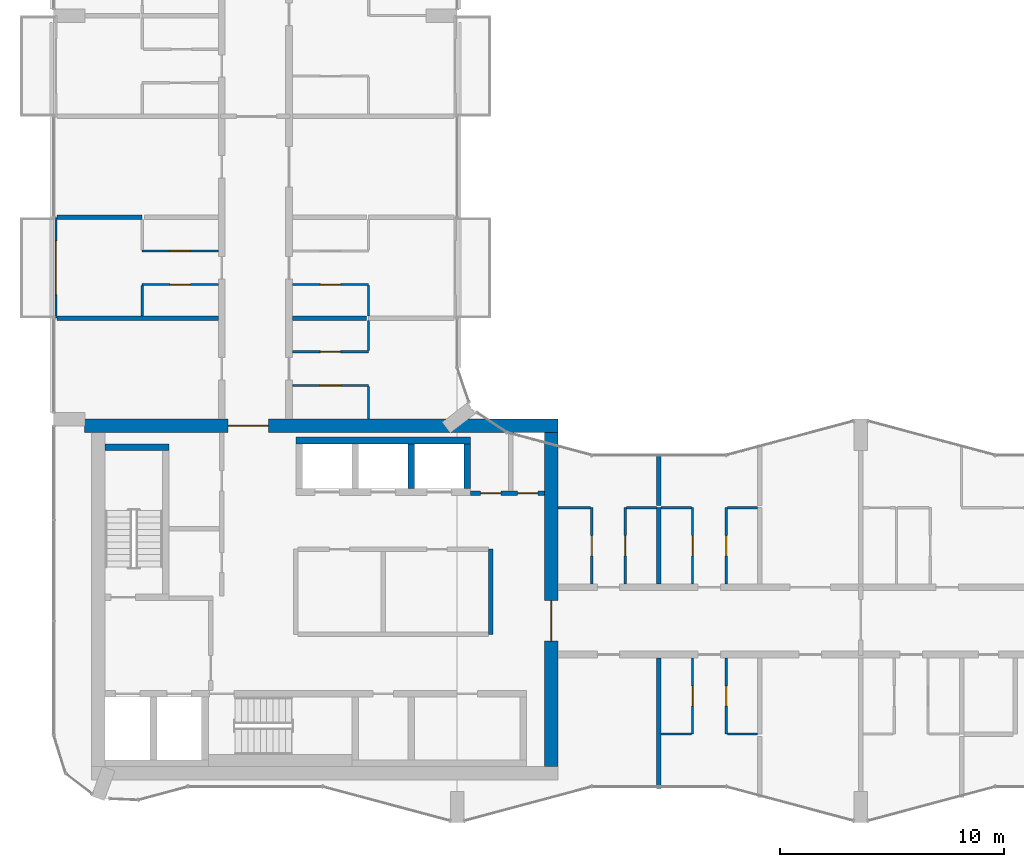
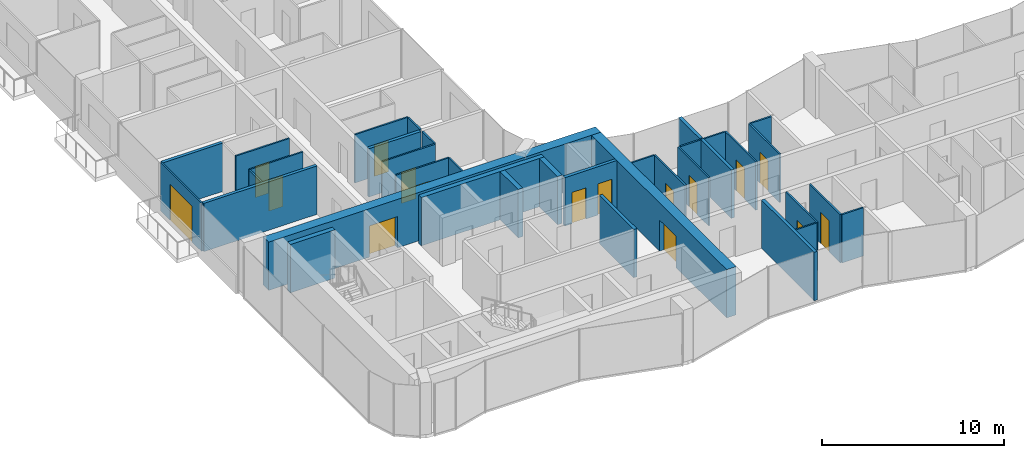
# One storey, part 10 of 16: 36 walls, 16 doors, 16 openings.
"""IFC4 building model written with IfcOpenShell, lengths in metres."""

from ifc_helpers import new_model, si_unit, direction, frame, frame_2d, origin, place, context, subcontext, project, spatial, rectangle, extrude, material, layer, layer_set, type_object, element, fill, save


model = new_model("IFC4")

# Units and contexts
model_context = context("Model", 3, precision=1e-05, world=origin(), true_north=direction((0.0, 1.0)))
body_context = subcontext(model_context, "Body", "Model", "MODEL_VIEW")
ifc_project = project(units=[si_unit("LENGTHUNIT", "METRE"), si_unit("AREAUNIT", "SQUARE_METRE"), si_unit("VOLUMEUNIT", "CUBIC_METRE"), si_unit("PLANEANGLEUNIT", "RADIAN"), si_unit("MASSUNIT", "GRAM", prefix="KILO")], contexts=[model_context])

# Site, building, storey
site_placement = place(None, origin())
site = spatial("IfcSite", under=ifc_project, at=site_placement, CompositionType="ELEMENT")
building_placement = place(site_placement, origin())
building = spatial("IfcBuilding", under=site, at=building_placement, Name="Plateau Cross Towers", CompositionType="ELEMENT")
storey_placement = place(building_placement, frame((0.0, 0.0, 167.39990234375)))
storey = spatial("IfcBuildingStorey", under=building, at=storey_placement, Name="L43", CompositionType="ELEMENT", Elevation=167.39990234375)

# Wall, opening, door
ifc_material_1 = material(Name="Aluminium framed glazing", Category="aluminium")
ifc_layer_1 = layer(ifc_material_1, 0.10009765625)
ifc_layer_set_1 = layer_set([ifc_layer_1], Name="Aluminium framed glazing")
wall_type_1 = type_object("IfcWallType", Name="Balcony screen wall 100", PredefinedType="STANDARD", material=ifc_layer_set_1)
wall_1_placement = place(storey_placement, frame((0.10009765625, 22.5, 0.0), z_axis=(0.0, 0.0, 1.0), x_axis=(0.0, 1.0, 0.0)))
wall_1 = element("IfcWall", 1, at=wall_1_placement, inside=storey, type_object=wall_type_1, Name="Balcony screen wall A-BAL-L43-01", PredefinedType="STANDARD", context=body_context, shape_type="SweptSolid", body=[
    extrude(rectangle(XDim=4.5, YDim=0.10009765625, at=frame_2d((2.25, 0.0))), origin(), (0.0, 0.0, 1.0), 3.25),
])
opening_1_placement = place(wall_1_placement, frame((1.050048828125, 0.0, 0.0)))
opening_1 = element("IfcOpeningElement", 2, at=opening_1_placement, cuts=wall_1, Name="Opening D-B24", PredefinedType="OPENING", context=body_context, shape_type="SweptSolid", body=[
    extrude(rectangle(XDim=2.39990234375, YDim=2.39990234375, at=frame_2d((1.199951171875, 1.199951171875))), frame((0.0, 0.06005859375, 0.0), z_axis=(0.0, -1.0, 0.0), x_axis=(1.0, 0.0, 0.0)), (0.0, 0.0, 1.0), 0.1201171875),
])
ifc_material_2 = material(Name="Aluminium frame, double glazing", Category="aluminium")
door_type_1 = type_object("IfcDoorType", Name="Balcony sliding door 2400", OperationType="NOTDEFINED", PredefinedType="DOOR", material=ifc_material_2)
door_1_placement = place(opening_1_placement, origin())
door_1 = element("IfcDoor", 3, at=door_1_placement, inside=storey, type_object=door_type_1, Name="Balcony door A-BAL-L43-01", OperationType="SINGLE_SWING_LEFT", OverallHeight=2.39990234375, OverallWidth=2.39990234375, PredefinedType="DOOR", context=body_context, shape_type="SweptSolid", body=[
    extrude(rectangle(XDim=2.39990234375, YDim=2.39990234375, at=frame_2d((1.199951171875, 1.199951171875))), frame((0.0, 0.02490234375, 0.0), z_axis=(0.0, -1.0, 0.0), x_axis=(1.0, 0.0, 0.0)), (0.0, 0.0, 1.0), 0.050048828125),
])
fill(opening_1, door_1)

# Wall
ifc_material_3 = material(Name="Concrete block, plastered both sides", Category="concrete")
ifc_layer_2 = layer(ifc_material_3, 0.199951171875)
ifc_layer_set_2 = layer_set([ifc_layer_2], Name="Concrete block, plastered both sides")
wall_type_2 = type_object("IfcWallType", Name="Core partition 200", PredefinedType="PARTITIONING", material=ifc_layer_set_2)
wall_2_placement = place(storey_placement, frame((19.5, 8.39990234375, 0.0), z_axis=(0.0, 0.0, 1.0), x_axis=(0.0, 1.0, 0.0)))
element("IfcWall", 4, at=wall_2_placement, inside=storey, type_object=wall_type_2, Name="Core partition", PredefinedType="PARTITIONING", context=body_context, shape_type="SweptSolid", body=[
    extrude(rectangle(XDim=3.800048828125, YDim=0.199951171875, at=frame_2d((1.89990234375, 0.0))), origin(), (0.0, 0.0, 1.0), 3.25),
])

# Wall, openings, doors
wall_3_placement = place(storey_placement, frame((18.60009765625, 14.699951171875, 0.0), z_axis=(0.0, 0.0, 1.0), x_axis=(1.0, 0.0, 0.0)))
wall_3 = element("IfcWall", 5, at=wall_3_placement, inside=storey, type_object=wall_type_2, Name="Core partition", PredefinedType="PARTITIONING", context=body_context, shape_type="SweptSolid", body=[
    extrude(rectangle(XDim=3.2998046875, YDim=0.199951171875, at=frame_2d((1.64990234375, 0.0))), origin(), (0.0, 0.0, 1.0), 3.25),
])
opening_2_placement = place(wall_3_placement, frame((0.449951171875, 0.0, 0.0)))
opening_2 = element("IfcOpeningElement", 6, at=opening_2_placement, cuts=wall_3, Name="Opening RD2", PredefinedType="OPENING", context=body_context, shape_type="SweptSolid", body=[
    extrude(rectangle(XDim=0.89990234375, YDim=2.10009765625, at=frame_2d((0.449951171875, 1.050048828125))), frame((0.0, 0.10986328125, 0.0), z_axis=(0.0, -1.0, 0.0), x_axis=(1.0, 0.0, 0.0)), (0.0, 0.0, 1.0), 0.219970703125),
])
opening_3_placement = place(wall_3_placement, frame((2.10009765625, 0.0, 0.0)))
opening_3 = element("IfcOpeningElement", 7, at=opening_3_placement, cuts=wall_3, Name="Opening RD2", PredefinedType="OPENING", context=body_context, shape_type="SweptSolid", body=[
    extrude(rectangle(XDim=0.89990234375, YDim=2.10009765625, at=frame_2d((0.449951171875, 1.050048828125))), frame((0.0, 0.10986328125, 0.0), z_axis=(0.0, -1.0, 0.0), x_axis=(1.0, 0.0, 0.0)), (0.0, 0.0, 1.0), 0.219970703125),
])
ifc_material_4 = material(Name="Steel, fire-resisting leaf", Category="steel")
door_type_2 = type_object("IfcDoorType", Name="Core riser door 900", OperationType="NOTDEFINED", PredefinedType="DOOR", material=ifc_material_4)
door_2_placement = place(opening_2_placement, origin())
door_2 = element("IfcDoor", 8, at=door_2_placement, inside=storey, type_object=door_type_2, Name="Core riser door RD2", OperationType="SINGLE_SWING_LEFT", OverallHeight=2.10009765625, OverallWidth=0.89990234375, PredefinedType="DOOR", context=body_context, shape_type="SweptSolid", body=[
    extrude(rectangle(XDim=0.89990234375, YDim=2.10009765625, at=frame_2d((0.449951171875, 1.050048828125))), frame((0.0, 0.02490234375, 0.0), z_axis=(0.0, -1.0, 0.0), x_axis=(1.0, 0.0, 0.0)), (0.0, 0.0, 1.0), 0.050048828125),
])
fill(opening_2, door_2)
door_3_placement = place(opening_3_placement, origin())
door_3 = element("IfcDoor", 9, at=door_3_placement, inside=storey, type_object=door_type_2, Name="Core riser door RD2", OperationType="SINGLE_SWING_LEFT", OverallHeight=2.10009765625, OverallWidth=0.89990234375, PredefinedType="DOOR", context=body_context, shape_type="SweptSolid", body=[
    extrude(rectangle(XDim=0.89990234375, YDim=2.10009765625, at=frame_2d((0.449951171875, 1.050048828125))), frame((0.0, 0.02490234375, 0.0), z_axis=(0.0, -1.0, 0.0), x_axis=(1.0, 0.0, 0.0)), (0.0, 0.0, 1.0), 0.050048828125),
])
fill(opening_3, door_3)

# Walls
ifc_material_5 = material(Name="Concrete C60/75", Category="concrete")
ifc_layer_3 = layer(ifc_material_5, 0.300048828125)
ifc_layer_set_3 = layer_set([ifc_layer_3], Name="Concrete C60/75")
wall_type_3 = type_object("IfcWallType", Name="Core shaft wall 300", PredefinedType="SHEAR", material=ifc_layer_set_3)
wall_4_placement = place(storey_placement, frame((2.300048828125, 16.75, 0.0), z_axis=(0.0, 0.0, 1.0), x_axis=(1.0, 0.0, 0.0)))
element("IfcWall", 10, at=wall_4_placement, inside=storey, type_object=wall_type_3, Name="A-st1-N@L43", PredefinedType="SHEAR", context=body_context, shape_type="SweptSolid", body=[
    extrude(rectangle(XDim=2.849853515625, YDim=0.300048828125, at=frame_2d((1.4248046875, 0.0))), origin(), (0.0, 0.0, 1.0), 3.25),
])
wall_5_placement = place(storey_placement, frame((10.800048828125, 17.050048828125, 0.0), z_axis=(0.0, 0.0, 1.0), x_axis=(1.0, 0.0, 0.0)))
element("IfcWall", 11, at=wall_5_placement, inside=storey, type_object=wall_type_3, Name="A-nb-back@L43", PredefinedType="SHEAR", context=body_context, shape_type="SweptSolid", body=[
    extrude(rectangle(XDim=7.800048828125, YDim=0.300048828125, at=frame_2d((3.89990234375, 0.0))), origin(), (0.0, 0.0, 1.0), 3.25),
])
for number, where, z_axis, x_axis, name in (
    (12, (15.949951171875, 14.89990234375, 0.0), (0.0, 0.0, 1.0), (0.0, 1.0, 0.0), "A-nb-v3@L43"),
    (13, (18.449951171875, 14.89990234375, 0.0), (0.0, 0.0, 1.0), (0.0, 1.0, 0.0), "A-nb-v4@L43"),
):
    element("IfcWall", number, at=place(storey_placement, frame(where, z_axis=z_axis, x_axis=x_axis)), inside=storey, type_object=wall_type_3, Name=name, PredefinedType="SHEAR", context=body_context, shape_type="SweptSolid", body=[
        extrude(rectangle(XDim=2.0, YDim=0.300048828125, at=frame_2d((1.0, 0.0))), origin(), (0.0, 0.0, 1.0), 3.25),
    ])

# Wall, opening, door
ifc_layer_4 = layer(ifc_material_5, 0.60009765625)
ifc_layer_set_4 = layer_set([ifc_layer_4], Name="Concrete C60/75")
wall_type_4 = type_object("IfcWallType", Name="Core shell wall 600", PredefinedType="SHEAR", material=ifc_layer_set_4)
wall_6_placement = place(storey_placement, frame((1.3798828125, 17.699951171875, 0.0), z_axis=(0.0, 0.0, 1.0), x_axis=(1.0, 0.0, 0.0)))
wall_6 = element("IfcWall", 14, at=wall_6_placement, inside=storey, type_object=wall_type_4, Name="A-core-N@L43", PredefinedType="SHEAR", context=body_context, shape_type="SweptSolid", body=[
    extrude(rectangle(XDim=21.1201171875, YDim=0.60009765625, at=frame_2d((10.56005859375, 0.0))), origin(), (0.0, 0.0, 1.0), 3.25),
])
opening_4_placement = place(wall_6_placement, frame((6.39990234375, 0.0, 0.0)))
opening_4 = element("IfcOpeningElement", 15, at=opening_4_placement, cuts=wall_6, Name="Opening CD", PredefinedType="OPENING", context=body_context, shape_type="SweptSolid", body=[
    extrude(rectangle(XDim=1.800048828125, YDim=2.10009765625, at=frame_2d((0.89990234375, 1.050048828125))), frame((0.0, 0.31005859375, 0.0), z_axis=(0.0, -1.0, 0.0), x_axis=(1.0, 0.0, 0.0)), (0.0, 0.0, 1.0), 0.6201171875),
])
ifc_material_6 = material(Name="Steel, fire-resisting leaves", Category="steel")
door_type_3 = type_object("IfcDoorType", Name="Corridor door pair 1800", OperationType="NOTDEFINED", PredefinedType="DOOR", material=ifc_material_6)
door_4_placement = place(opening_4_placement, origin())
door_4 = element("IfcDoor", 16, at=door_4_placement, inside=storey, type_object=door_type_3, Name="Corridor door pair CD", OperationType="DOUBLE_DOOR_SINGLE_SWING", OverallHeight=2.10009765625, OverallWidth=1.800048828125, PredefinedType="DOOR", context=body_context, shape_type="SweptSolid", body=[
    extrude(rectangle(XDim=1.800048828125, YDim=2.10009765625, at=frame_2d((0.89990234375, 1.050048828125))), frame((0.0, 0.02490234375, 0.0), z_axis=(0.0, -1.0, 0.0), x_axis=(1.0, 0.0, 0.0)), (0.0, 0.0, 1.0), 0.050048828125),
])
fill(opening_4, door_4)

wall_7_placement = place(storey_placement, frame((22.199951171875, 2.5, 0.0), z_axis=(0.0, 0.0, 1.0), x_axis=(0.0, 1.0, 0.0)))
wall_7 = element("IfcWall", 17, at=wall_7_placement, inside=storey, type_object=wall_type_4, Name="A-core-E@L43", PredefinedType="SHEAR", context=body_context, shape_type="SweptSolid", body=[
    extrude(rectangle(XDim=14.89990234375, YDim=0.60009765625, at=frame_2d((7.449951171875, 0.0))), origin(), (0.0, 0.0, 1.0), 3.25),
])
opening_5_placement = place(wall_7_placement, frame((5.60009765625, 0.0, 0.0)))
opening_5 = element("IfcOpeningElement", 18, at=opening_5_placement, cuts=wall_7, Name="Opening CD", PredefinedType="OPENING", context=body_context, shape_type="SweptSolid", body=[
    extrude(rectangle(XDim=1.800048828125, YDim=2.10009765625, at=frame_2d((0.89990234375, 1.050048828125))), frame((0.0, 0.31005859375, 0.0), z_axis=(0.0, -1.0, 0.0), x_axis=(1.0, 0.0, 0.0)), (0.0, 0.0, 1.0), 0.6201171875),
])
door_5_placement = place(opening_5_placement, origin())
door_5 = element("IfcDoor", 19, at=door_5_placement, inside=storey, type_object=door_type_3, Name="Corridor door pair CD", OperationType="DOUBLE_DOOR_SINGLE_SWING", OverallHeight=2.10009765625, OverallWidth=1.800048828125, PredefinedType="DOOR", context=body_context, shape_type="SweptSolid", body=[
    extrude(rectangle(XDim=1.800048828125, YDim=2.10009765625, at=frame_2d((0.89990234375, 1.050048828125))), frame((0.0, 0.02490234375, 0.0), z_axis=(0.0, -1.0, 0.0), x_axis=(1.0, 0.0, 0.0)), (0.0, 0.0, 1.0), 0.050048828125),
])
fill(opening_5, door_5)

# Walls
ifc_material_7 = material(Name="Gypsum board on steel studs", Category="steel")
ifc_layer_5 = layer(ifc_material_7, 0.10009765625)
ifc_layer_set_5 = layer_set([ifc_layer_5], Name="Gypsum board on steel studs")
wall_type_5 = type_object("IfcWallType", Name="Flat partition 100", PredefinedType="PARTITIONING", material=ifc_layer_set_5)
for number, where, z_axis, x_axis, name in (
    (20, (27.10009765625, 3.949951171875, 0.0), (0.0, 0.0, 1.0), (1.0, 0.0, 0.0), "Partition wall"),
    (21, (30.050048828125, 3.949951171875, 0.0), (0.0, 0.0, 1.0), (1.0, 0.0, 0.0), "Partition wall"),
):
    element("IfcWall", number, at=place(storey_placement, frame(where, z_axis=z_axis, x_axis=x_axis)), inside=storey, type_object=wall_type_5, Name=name, PredefinedType="PARTITIONING", context=body_context, shape_type="SweptSolid", body=[
        extrude(rectangle(XDim=1.349853515625, YDim=0.10009765625, at=frame_2d((0.6748046875, 0.0))), origin(), (0.0, 0.0, 1.0), 3.25),
    ])
wall_8_placement = place(storey_placement, frame((23.949951171875, 14.050048828125, 0.0), z_axis=(0.0, 0.0, 1.0), x_axis=(-1.0, 0.0, 0.0)))
element("IfcWall", 22, at=wall_8_placement, inside=storey, type_object=wall_type_5, Name="Partition wall", PredefinedType="PARTITIONING", context=body_context, shape_type="SweptSolid", body=[
    extrude(rectangle(XDim=1.449951171875, YDim=0.10009765625, at=frame_2d((0.72509765625, 0.0))), origin(), (0.0, 0.0, 1.0), 3.25),
])
for number, where, z_axis, x_axis, name in (
    (23, (26.89990234375, 14.050048828125, 0.0), (0.0, 0.0, 1.0), (-1.0, 0.0, 0.0), "Partition wall"),
    (24, (28.449951171875, 14.050048828125, 0.0), (0.0, 0.0, 1.0), (-1.0, 0.0, 0.0), "Partition wall"),
    (25, (31.39990234375, 14.050048828125, 0.0), (0.0, 0.0, 1.0), (-1.0, 0.0, 0.0), "Partition wall"),
):
    element("IfcWall", number, at=place(storey_placement, frame(where, z_axis=z_axis, x_axis=x_axis)), inside=storey, type_object=wall_type_5, Name=name, PredefinedType="PARTITIONING", context=body_context, shape_type="SweptSolid", body=[
        extrude(rectangle(XDim=1.349853515625, YDim=0.10009765625, at=frame_2d((0.6748046875, 0.0))), origin(), (0.0, 0.0, 1.0), 3.25),
    ])

# Wall, opening, door
wall_9_placement = place(storey_placement, frame((14.050048828125, 19.5, 0.0), z_axis=(0.0, 0.0, 1.0), x_axis=(-1.0, 0.0, 0.0)))
wall_9 = element("IfcWall", 26, at=wall_9_placement, inside=storey, type_object=wall_type_5, Name="Partition wall", PredefinedType="PARTITIONING", context=body_context, shape_type="SweptSolid", body=[
    extrude(rectangle(XDim=3.400146484375, YDim=0.10009765625, at=frame_2d((1.7001953125, 0.0))), origin(), (0.0, 0.0, 1.0), 3.25),
])
opening_6_placement = place(wall_9_placement, frame((1.25, 0.0, 0.0)))
opening_6 = element("IfcOpeningElement", 27, at=opening_6_placement, cuts=wall_9, Name="Opening 43-48", PredefinedType="OPENING", context=body_context, shape_type="SweptSolid", body=[
    extrude(rectangle(XDim=0.89990234375, YDim=2.10009765625, at=frame_2d((0.449951171875, 1.050048828125))), frame((0.0, 0.06005859375, 0.0), z_axis=(0.0, -1.0, 0.0), x_axis=(1.0, 0.0, 0.0)), (0.0, 0.0, 1.0), 0.1201171875),
])
ifc_material_8 = material(Name="Timber leaf", Category="wood")
door_type_4 = type_object("IfcDoorType", Name="Flat room door 900", OperationType="NOTDEFINED", PredefinedType="DOOR", material=ifc_material_8)
door_6_placement = place(opening_6_placement, origin())
door_6 = element("IfcDoor", 28, at=door_6_placement, inside=storey, type_object=door_type_4, Name="Door 43-48", OperationType="SINGLE_SWING_LEFT", OverallHeight=2.10009765625, OverallWidth=0.89990234375, PredefinedType="DOOR", context=body_context, shape_type="SweptSolid", body=[
    extrude(rectangle(XDim=0.89990234375, YDim=2.10009765625, at=frame_2d((0.449951171875, 1.050048828125))), frame((0.0, 0.02490234375, 0.0), z_axis=(0.0, -1.0, 0.0), x_axis=(1.0, 0.0, 0.0)), (0.0, 0.0, 1.0), 0.050048828125),
])
fill(opening_6, door_6)

wall_10_placement = place(storey_placement, frame((10.64990234375, 21.0, 0.0), z_axis=(0.0, 0.0, 1.0), x_axis=(1.0, 0.0, 0.0)))
wall_10 = element("IfcWall", 29, at=wall_10_placement, inside=storey, type_object=wall_type_5, Name="Partition wall", PredefinedType="PARTITIONING", context=body_context, shape_type="SweptSolid", body=[
    extrude(rectangle(XDim=3.400146484375, YDim=0.10009765625, at=frame_2d((1.7001953125, 0.0))), origin(), (0.0, 0.0, 1.0), 3.25),
])
opening_7_placement = place(wall_10_placement, frame((1.25, 0.0, 0.0)))
opening_7 = element("IfcOpeningElement", 30, at=opening_7_placement, cuts=wall_10, Name="Opening 43-49", PredefinedType="OPENING", context=body_context, shape_type="SweptSolid", body=[
    extrude(rectangle(XDim=0.89990234375, YDim=2.10009765625, at=frame_2d((0.449951171875, 1.050048828125))), frame((0.0, 0.06005859375, 0.0), z_axis=(0.0, -1.0, 0.0), x_axis=(1.0, 0.0, 0.0)), (0.0, 0.0, 1.0), 0.1201171875),
])
door_7_placement = place(opening_7_placement, origin())
door_7 = element("IfcDoor", 31, at=door_7_placement, inside=storey, type_object=door_type_4, Name="Door 43-49", OperationType="SINGLE_SWING_LEFT", OverallHeight=2.10009765625, OverallWidth=0.89990234375, PredefinedType="DOOR", context=body_context, shape_type="SweptSolid", body=[
    extrude(rectangle(XDim=0.89990234375, YDim=2.10009765625, at=frame_2d((0.449951171875, 1.050048828125))), frame((0.0, 0.02490234375, 0.0), z_axis=(0.0, -1.0, 0.0), x_axis=(1.0, 0.0, 0.0)), (0.0, 0.0, 1.0), 0.050048828125),
])
fill(opening_7, door_7)

wall_11_placement = place(storey_placement, frame((7.35009765625, 24.0, 0.0), z_axis=(0.0, 0.0, 1.0), x_axis=(-1.0, 0.0, 0.0)))
wall_11 = element("IfcWall", 32, at=wall_11_placement, inside=storey, type_object=wall_type_5, Name="Partition wall", PredefinedType="PARTITIONING", context=body_context, shape_type="SweptSolid", body=[
    extrude(rectangle(XDim=3.400146484375, YDim=0.10009765625, at=frame_2d((1.7001953125, 0.0))), origin(), (0.0, 0.0, 1.0), 3.25),
])
opening_8_placement = place(wall_11_placement, frame((1.25, 0.0, 0.0)))
opening_8 = element("IfcOpeningElement", 33, at=opening_8_placement, cuts=wall_11, Name="Opening 43-39", PredefinedType="OPENING", context=body_context, shape_type="SweptSolid", body=[
    extrude(rectangle(XDim=0.89990234375, YDim=2.10009765625, at=frame_2d((0.449951171875, 1.050048828125))), frame((0.0, 0.06005859375, 0.0), z_axis=(0.0, -1.0, 0.0), x_axis=(1.0, 0.0, 0.0)), (0.0, 0.0, 1.0), 0.1201171875),
])
door_8_placement = place(opening_8_placement, origin())
door_8 = element("IfcDoor", 34, at=door_8_placement, inside=storey, type_object=door_type_4, Name="Door 43-39", OperationType="SINGLE_SWING_RIGHT", OverallHeight=2.10009765625, OverallWidth=0.89990234375, PredefinedType="DOOR", context=body_context, shape_type="SweptSolid", body=[
    extrude(rectangle(XDim=0.89990234375, YDim=2.10009765625, at=frame_2d((0.449951171875, 1.050048828125))), frame((0.0, 0.02490234375, 0.0), z_axis=(0.0, -1.0, 0.0), x_axis=(1.0, 0.0, 0.0)), (0.0, 0.0, 1.0), 0.050048828125),
])
fill(opening_8, door_8)

wall_12_placement = place(storey_placement, frame((14.050048828125, 24.0, 0.0), z_axis=(0.0, 0.0, 1.0), x_axis=(-1.0, 0.0, 0.0)))
wall_12 = element("IfcWall", 35, at=wall_12_placement, inside=storey, type_object=wall_type_5, Name="Partition wall", PredefinedType="PARTITIONING", context=body_context, shape_type="SweptSolid", body=[
    extrude(rectangle(XDim=3.400146484375, YDim=0.10009765625, at=frame_2d((1.7001953125, 0.0))), origin(), (0.0, 0.0, 1.0), 3.25),
])
opening_9_placement = place(wall_12_placement, frame((1.25, 0.0, 0.0)))
opening_9 = element("IfcOpeningElement", 36, at=opening_9_placement, cuts=wall_12, Name="Opening 43-50", PredefinedType="OPENING", context=body_context, shape_type="SweptSolid", body=[
    extrude(rectangle(XDim=0.89990234375, YDim=2.10009765625, at=frame_2d((0.449951171875, 1.050048828125))), frame((0.0, 0.06005859375, 0.0), z_axis=(0.0, -1.0, 0.0), x_axis=(1.0, 0.0, 0.0)), (0.0, 0.0, 1.0), 0.1201171875),
])
door_9_placement = place(opening_9_placement, origin())
door_9 = element("IfcDoor", 37, at=door_9_placement, inside=storey, type_object=door_type_4, Name="Door 43-50", OperationType="SINGLE_SWING_LEFT", OverallHeight=2.10009765625, OverallWidth=0.89990234375, PredefinedType="DOOR", context=body_context, shape_type="SweptSolid", body=[
    extrude(rectangle(XDim=0.89990234375, YDim=2.10009765625, at=frame_2d((0.449951171875, 1.050048828125))), frame((0.0, 0.02490234375, 0.0), z_axis=(0.0, -1.0, 0.0), x_axis=(1.0, 0.0, 0.0)), (0.0, 0.0, 1.0), 0.050048828125),
])
fill(opening_9, door_9)

wall_13_placement = place(storey_placement, frame((3.949951171875, 25.5, 0.0), z_axis=(0.0, 0.0, 1.0), x_axis=(1.0, 0.0, 0.0)))
wall_13 = element("IfcWall", 38, at=wall_13_placement, inside=storey, type_object=wall_type_5, Name="Partition wall", PredefinedType="PARTITIONING", context=body_context, shape_type="SweptSolid", body=[
    extrude(rectangle(XDim=3.400146484375, YDim=0.10009765625, at=frame_2d((1.7001953125, 0.0))), origin(), (0.0, 0.0, 1.0), 3.25),
])
opening_10_placement = place(wall_13_placement, frame((1.25, 0.0, 0.0)))
opening_10 = element("IfcOpeningElement", 39, at=opening_10_placement, cuts=wall_13, Name="Opening 43-40", PredefinedType="OPENING", context=body_context, shape_type="SweptSolid", body=[
    extrude(rectangle(XDim=0.89990234375, YDim=2.10009765625, at=frame_2d((0.449951171875, 1.050048828125))), frame((0.0, 0.06005859375, 0.0), z_axis=(0.0, -1.0, 0.0), x_axis=(1.0, 0.0, 0.0)), (0.0, 0.0, 1.0), 0.1201171875),
])
door_10_placement = place(opening_10_placement, origin())
door_10 = element("IfcDoor", 40, at=door_10_placement, inside=storey, type_object=door_type_4, Name="Door 43-40", OperationType="SINGLE_SWING_RIGHT", OverallHeight=2.10009765625, OverallWidth=0.89990234375, PredefinedType="DOOR", context=body_context, shape_type="SweptSolid", body=[
    extrude(rectangle(XDim=0.89990234375, YDim=2.10009765625, at=frame_2d((0.449951171875, 1.050048828125))), frame((0.0, 0.02490234375, 0.0), z_axis=(0.0, -1.0, 0.0), x_axis=(1.0, 0.0, 0.0)), (0.0, 0.0, 1.0), 0.050048828125),
])
fill(opening_10, door_10)

# Walls
wall_14_placement = place(storey_placement, frame((3.949951171875, 23.949951171875, 0.0), z_axis=(0.0, 0.0, 1.0), x_axis=(0.0, -1.0, 0.0)))
element("IfcWall", 41, at=wall_14_placement, inside=storey, type_object=wall_type_5, Name="Partition wall", PredefinedType="PARTITIONING", context=body_context, shape_type="SweptSolid", body=[
    extrude(rectangle(XDim=1.349853515625, YDim=0.10009765625, at=frame_2d((0.6748046875, 0.0))), origin(), (0.0, 0.0, 1.0), 3.25),
])
wall_15_placement = place(storey_placement, frame((14.050048828125, 18.0, 0.0), z_axis=(0.0, 0.0, 1.0), x_axis=(0.0, 1.0, 0.0)))
element("IfcWall", 42, at=wall_15_placement, inside=storey, type_object=wall_type_5, Name="Partition wall", PredefinedType="PARTITIONING", context=body_context, shape_type="SweptSolid", body=[
    extrude(rectangle(XDim=1.449951171875, YDim=0.10009765625, at=frame_2d((0.72509765625, 0.0))), origin(), (0.0, 0.0, 1.0), 3.25),
])
for number, where, z_axis, x_axis, name in (
    (43, (14.050048828125, 21.050048828125, 0.0), (0.0, 0.0, 1.0), (0.0, 1.0, 0.0), "Partition wall"),
    (44, (14.050048828125, 22.60009765625, 0.0), (0.0, 0.0, 1.0), (0.0, 1.0, 0.0), "Partition wall"),
):
    element("IfcWall", number, at=place(storey_placement, frame(where, z_axis=z_axis, x_axis=x_axis)), inside=storey, type_object=wall_type_5, Name=name, PredefinedType="PARTITIONING", context=body_context, shape_type="SweptSolid", body=[
        extrude(rectangle(XDim=1.349853515625, YDim=0.10009765625, at=frame_2d((0.6748046875, 0.0))), origin(), (0.0, 0.0, 1.0), 3.25),
    ])

# Wall, opening, door
wall_16_placement = place(storey_placement, frame((24.0, 10.64990234375, 0.0), z_axis=(0.0, 0.0, 1.0), x_axis=(0.0, 1.0, 0.0)))
wall_16 = element("IfcWall", 45, at=wall_16_placement, inside=storey, type_object=wall_type_5, Name="Partition wall", PredefinedType="PARTITIONING", context=body_context, shape_type="SweptSolid", body=[
    extrude(rectangle(XDim=3.400146484375, YDim=0.10009765625, at=frame_2d((1.7001953125, 0.0))), origin(), (0.0, 0.0, 1.0), 3.25),
])
opening_11_placement = place(wall_16_placement, frame((1.25, 0.0, 0.0)))
opening_11 = element("IfcOpeningElement", 46, at=opening_11_placement, cuts=wall_16, Name="Opening 43-30", PredefinedType="OPENING", context=body_context, shape_type="SweptSolid", body=[
    extrude(rectangle(XDim=0.89990234375, YDim=2.10009765625, at=frame_2d((0.449951171875, 1.050048828125))), frame((0.0, 0.06005859375, 0.0), z_axis=(0.0, -1.0, 0.0), x_axis=(1.0, 0.0, 0.0)), (0.0, 0.0, 1.0), 0.1201171875),
])
door_11_placement = place(opening_11_placement, origin())
door_11 = element("IfcDoor", 47, at=door_11_placement, inside=storey, type_object=door_type_4, Name="Door 43-30", OperationType="SINGLE_SWING_LEFT", OverallHeight=2.10009765625, OverallWidth=0.89990234375, PredefinedType="DOOR", context=body_context, shape_type="SweptSolid", body=[
    extrude(rectangle(XDim=0.89990234375, YDim=2.10009765625, at=frame_2d((0.449951171875, 1.050048828125))), frame((0.0, 0.02490234375, 0.0), z_axis=(0.0, -1.0, 0.0), x_axis=(1.0, 0.0, 0.0)), (0.0, 0.0, 1.0), 0.050048828125),
])
fill(opening_11, door_11)

wall_17_placement = place(storey_placement, frame((25.5, 14.050048828125, 0.0), z_axis=(0.0, 0.0, 1.0), x_axis=(0.0, -1.0, 0.0)))
wall_17 = element("IfcWall", 48, at=wall_17_placement, inside=storey, type_object=wall_type_5, Name="Partition wall", PredefinedType="PARTITIONING", context=body_context, shape_type="SweptSolid", body=[
    extrude(rectangle(XDim=3.400146484375, YDim=0.10009765625, at=frame_2d((1.7001953125, 0.0))), origin(), (0.0, 0.0, 1.0), 3.25),
])
opening_12_placement = place(wall_17_placement, frame((1.25, 0.0, 0.0)))
opening_12 = element("IfcOpeningElement", 49, at=opening_12_placement, cuts=wall_17, Name="Opening 43-31", PredefinedType="OPENING", context=body_context, shape_type="SweptSolid", body=[
    extrude(rectangle(XDim=0.89990234375, YDim=2.10009765625, at=frame_2d((0.449951171875, 1.050048828125))), frame((0.0, 0.06005859375, 0.0), z_axis=(0.0, -1.0, 0.0), x_axis=(1.0, 0.0, 0.0)), (0.0, 0.0, 1.0), 0.1201171875),
])
door_12_placement = place(opening_12_placement, origin())
door_12 = element("IfcDoor", 50, at=door_12_placement, inside=storey, type_object=door_type_4, Name="Door 43-31", OperationType="SINGLE_SWING_LEFT", OverallHeight=2.10009765625, OverallWidth=0.89990234375, PredefinedType="DOOR", context=body_context, shape_type="SweptSolid", body=[
    extrude(rectangle(XDim=0.89990234375, YDim=2.10009765625, at=frame_2d((0.449951171875, 1.050048828125))), frame((0.0, 0.02490234375, 0.0), z_axis=(0.0, -1.0, 0.0), x_axis=(1.0, 0.0, 0.0)), (0.0, 0.0, 1.0), 0.050048828125),
])
fill(opening_12, door_12)

wall_18_placement = place(storey_placement, frame((28.5, 3.949951171875, 0.0), z_axis=(0.0, 0.0, 1.0), x_axis=(0.0, 1.0, 0.0)))
wall_18 = element("IfcWall", 51, at=wall_18_placement, inside=storey, type_object=wall_type_5, Name="Partition wall", PredefinedType="PARTITIONING", context=body_context, shape_type="SweptSolid", body=[
    extrude(rectangle(XDim=3.400146484375, YDim=0.10009765625, at=frame_2d((1.7001953125, 0.0))), origin(), (0.0, 0.0, 1.0), 3.25),
])
opening_13_placement = place(wall_18_placement, frame((1.25, 0.0, 0.0)))
opening_13 = element("IfcOpeningElement", 52, at=opening_13_placement, cuts=wall_18, Name="Opening 43-26", PredefinedType="OPENING", context=body_context, shape_type="SweptSolid", body=[
    extrude(rectangle(XDim=0.89990234375, YDim=2.10009765625, at=frame_2d((0.449951171875, 1.050048828125))), frame((0.0, 0.06005859375, 0.0), z_axis=(0.0, -1.0, 0.0), x_axis=(1.0, 0.0, 0.0)), (0.0, 0.0, 1.0), 0.1201171875),
])
door_13_placement = place(opening_13_placement, origin())
door_13 = element("IfcDoor", 53, at=door_13_placement, inside=storey, type_object=door_type_4, Name="Door 43-26", OperationType="SINGLE_SWING_RIGHT", OverallHeight=2.10009765625, OverallWidth=0.89990234375, PredefinedType="DOOR", context=body_context, shape_type="SweptSolid", body=[
    extrude(rectangle(XDim=0.89990234375, YDim=2.10009765625, at=frame_2d((0.449951171875, 1.050048828125))), frame((0.0, 0.02490234375, 0.0), z_axis=(0.0, -1.0, 0.0), x_axis=(1.0, 0.0, 0.0)), (0.0, 0.0, 1.0), 0.050048828125),
])
fill(opening_13, door_13)

wall_19_placement = place(storey_placement, frame((28.5, 10.64990234375, 0.0), z_axis=(0.0, 0.0, 1.0), x_axis=(0.0, 1.0, 0.0)))
wall_19 = element("IfcWall", 54, at=wall_19_placement, inside=storey, type_object=wall_type_5, Name="Partition wall", PredefinedType="PARTITIONING", context=body_context, shape_type="SweptSolid", body=[
    extrude(rectangle(XDim=3.400146484375, YDim=0.10009765625, at=frame_2d((1.7001953125, 0.0))), origin(), (0.0, 0.0, 1.0), 3.25),
])
opening_14_placement = place(wall_19_placement, frame((1.25, 0.0, 0.0)))
opening_14 = element("IfcOpeningElement", 55, at=opening_14_placement, cuts=wall_19, Name="Opening 43-32", PredefinedType="OPENING", context=body_context, shape_type="SweptSolid", body=[
    extrude(rectangle(XDim=0.89990234375, YDim=2.10009765625, at=frame_2d((0.449951171875, 1.050048828125))), frame((0.0, 0.06005859375, 0.0), z_axis=(0.0, -1.0, 0.0), x_axis=(1.0, 0.0, 0.0)), (0.0, 0.0, 1.0), 0.1201171875),
])
door_14_placement = place(opening_14_placement, origin())
door_14 = element("IfcDoor", 56, at=door_14_placement, inside=storey, type_object=door_type_4, Name="Door 43-32", OperationType="SINGLE_SWING_LEFT", OverallHeight=2.10009765625, OverallWidth=0.89990234375, PredefinedType="DOOR", context=body_context, shape_type="SweptSolid", body=[
    extrude(rectangle(XDim=0.89990234375, YDim=2.10009765625, at=frame_2d((0.449951171875, 1.050048828125))), frame((0.0, 0.02490234375, 0.0), z_axis=(0.0, -1.0, 0.0), x_axis=(1.0, 0.0, 0.0)), (0.0, 0.0, 1.0), 0.050048828125),
])
fill(opening_14, door_14)

wall_20_placement = place(storey_placement, frame((30.0, 7.35009765625, 0.0), z_axis=(0.0, 0.0, 1.0), x_axis=(0.0, -1.0, 0.0)))
wall_20 = element("IfcWall", 57, at=wall_20_placement, inside=storey, type_object=wall_type_5, Name="Partition wall", PredefinedType="PARTITIONING", context=body_context, shape_type="SweptSolid", body=[
    extrude(rectangle(XDim=3.400146484375, YDim=0.10009765625, at=frame_2d((1.7001953125, 0.0))), origin(), (0.0, 0.0, 1.0), 3.25),
])
opening_15_placement = place(wall_20_placement, frame((1.25, 0.0, 0.0)))
opening_15 = element("IfcOpeningElement", 58, at=opening_15_placement, cuts=wall_20, Name="Opening 43-27", PredefinedType="OPENING", context=body_context, shape_type="SweptSolid", body=[
    extrude(rectangle(XDim=0.89990234375, YDim=2.10009765625, at=frame_2d((0.449951171875, 1.050048828125))), frame((0.0, 0.06005859375, 0.0), z_axis=(0.0, -1.0, 0.0), x_axis=(1.0, 0.0, 0.0)), (0.0, 0.0, 1.0), 0.1201171875),
])
door_15_placement = place(opening_15_placement, origin())
door_15 = element("IfcDoor", 59, at=door_15_placement, inside=storey, type_object=door_type_4, Name="Door 43-27", OperationType="SINGLE_SWING_RIGHT", OverallHeight=2.10009765625, OverallWidth=0.89990234375, PredefinedType="DOOR", context=body_context, shape_type="SweptSolid", body=[
    extrude(rectangle(XDim=0.89990234375, YDim=2.10009765625, at=frame_2d((0.449951171875, 1.050048828125))), frame((0.0, 0.02490234375, 0.0), z_axis=(0.0, -1.0, 0.0), x_axis=(1.0, 0.0, 0.0)), (0.0, 0.0, 1.0), 0.050048828125),
])
fill(opening_15, door_15)

wall_21_placement = place(storey_placement, frame((30.0, 14.050048828125, 0.0), z_axis=(0.0, 0.0, 1.0), x_axis=(0.0, -1.0, 0.0)))
wall_21 = element("IfcWall", 60, at=wall_21_placement, inside=storey, type_object=wall_type_5, Name="Partition wall", PredefinedType="PARTITIONING", context=body_context, shape_type="SweptSolid", body=[
    extrude(rectangle(XDim=3.400146484375, YDim=0.10009765625, at=frame_2d((1.7001953125, 0.0))), origin(), (0.0, 0.0, 1.0), 3.25),
])
opening_16_placement = place(wall_21_placement, frame((1.25, 0.0, 0.0)))
opening_16 = element("IfcOpeningElement", 61, at=opening_16_placement, cuts=wall_21, Name="Opening 43-33", PredefinedType="OPENING", context=body_context, shape_type="SweptSolid", body=[
    extrude(rectangle(XDim=0.89990234375, YDim=2.10009765625, at=frame_2d((0.449951171875, 1.050048828125))), frame((0.0, 0.06005859375, 0.0), z_axis=(0.0, -1.0, 0.0), x_axis=(1.0, 0.0, 0.0)), (0.0, 0.0, 1.0), 0.1201171875),
])
door_16_placement = place(opening_16_placement, origin())
door_16 = element("IfcDoor", 62, at=door_16_placement, inside=storey, type_object=door_type_4, Name="Door 43-33", OperationType="SINGLE_SWING_LEFT", OverallHeight=2.10009765625, OverallWidth=0.89990234375, PredefinedType="DOOR", context=body_context, shape_type="SweptSolid", body=[
    extrude(rectangle(XDim=0.89990234375, YDim=2.10009765625, at=frame_2d((0.449951171875, 1.050048828125))), frame((0.0, 0.02490234375, 0.0), z_axis=(0.0, -1.0, 0.0), x_axis=(1.0, 0.0, 0.0)), (0.0, 0.0, 1.0), 0.050048828125),
])
fill(opening_16, door_16)

# Walls
ifc_material_9 = material(Name="Gypsum board on steel studs, two layers each side", Category="steel")
ifc_layer_6 = layer(ifc_material_9, 0.199951171875)
ifc_layer_set_6 = layer_set([ifc_layer_6], Name="Gypsum board on steel studs, two layers each side")
wall_type_6 = type_object("IfcWallType", Name="Flat party wall 200", PredefinedType="PARTITIONING", material=ifc_layer_set_6)
wall_22_placement = place(storey_placement, frame((7.35009765625, 22.5, 0.0), z_axis=(0.0, 0.0, 1.0), x_axis=(-1.0, 0.0, 0.0)))
element("IfcWall", 63, at=wall_22_placement, inside=storey, type_object=wall_type_6, Name="Party wall", PredefinedType="PARTITIONING", context=body_context, shape_type="SweptSolid", body=[
    extrude(rectangle(XDim=7.2001953125, YDim=0.199951171875, at=frame_2d((3.60009765625, 0.0))), origin(), (0.0, 0.0, 1.0), 3.25),
])
wall_23_placement = place(storey_placement, frame((13.949951171875, 22.5, 0.0), z_axis=(0.0, 0.0, 1.0), x_axis=(-1.0, 0.0, 0.0)))
element("IfcWall", 64, at=wall_23_placement, inside=storey, type_object=wall_type_6, Name="Party wall", PredefinedType="PARTITIONING", context=body_context, shape_type="SweptSolid", body=[
    extrude(rectangle(XDim=3.300048828125, YDim=0.199951171875, at=frame_2d((1.64990234375, 0.0))), origin(), (0.0, 0.0, 1.0), 3.25),
])
wall_24_placement = place(storey_placement, frame((0.14990234375, 27.0, 0.0), z_axis=(0.0, 0.0, 1.0), x_axis=(1.0, 0.0, 0.0)))
element("IfcWall", 65, at=wall_24_placement, inside=storey, type_object=wall_type_6, Name="Party wall", PredefinedType="PARTITIONING", context=body_context, shape_type="SweptSolid", body=[
    extrude(rectangle(XDim=3.800048828125, YDim=0.199951171875, at=frame_2d((1.89990234375, 0.0))), origin(), (0.0, 0.0, 1.0), 3.25),
])
wall_25_placement = place(storey_placement, frame((27.0, 16.47314453125, 0.0), z_axis=(0.0, 0.0, 1.0), x_axis=(0.0, -1.0, 0.0)))
element("IfcWall", 66, at=wall_25_placement, inside=storey, type_object=wall_type_6, Name="Party wall", PredefinedType="PARTITIONING", context=body_context, shape_type="SweptSolid", body=[
    extrude(rectangle(XDim=2.3232421875, YDim=0.199951171875, at=frame_2d((1.16162109375, 0.0))), origin(), (0.0, 0.0, 1.0), 3.25),
])
wall_26_placement = place(storey_placement, frame((27.0, 1.52685546875, 0.0), z_axis=(0.0, 0.0, 1.0), x_axis=(0.0, 1.0, 0.0)))
element("IfcWall", 67, at=wall_26_placement, inside=storey, type_object=wall_type_6, Name="Party wall", PredefinedType="PARTITIONING", context=body_context, shape_type="SweptSolid", body=[
    extrude(rectangle(XDim=5.8232421875, YDim=0.199951171875, at=frame_2d((2.91162109375, 0.0))), origin(), (0.0, 0.0, 1.0), 3.25),
])
wall_27_placement = place(storey_placement, frame((27.0, 10.64990234375, 0.0), z_axis=(0.0, 0.0, 1.0), x_axis=(0.0, 1.0, 0.0)))
element("IfcWall", 68, at=wall_27_placement, inside=storey, type_object=wall_type_6, Name="Party wall", PredefinedType="PARTITIONING", context=body_context, shape_type="SweptSolid", body=[
    extrude(rectangle(XDim=3.400146484375, YDim=0.199951171875, at=frame_2d((1.7001953125, 0.0))), origin(), (0.0, 0.0, 1.0), 3.25),
])

save(model, "model.ifc")
